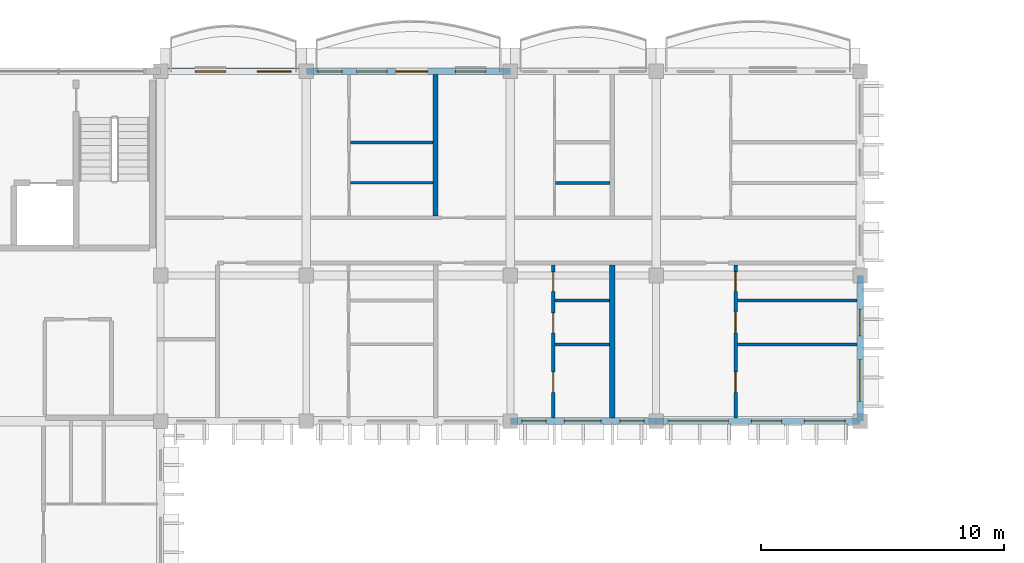
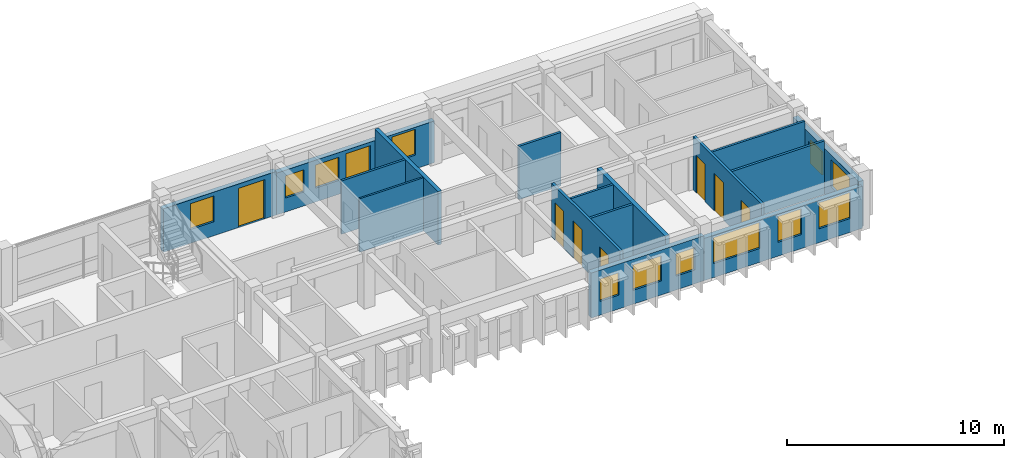
# One storey, part 19 of 45: 16 walls, 12 windows, 8 doors, 20 openings.
"""IFC4 building model written with IfcOpenShell, lengths in metres."""

from ifc_helpers import new_model, si_unit, direction, frame, frame_2d, origin, place, context, subcontext, project, spatial, rectangle, extrude, material, layer, layer_set, type_object, element, fill, save


model = new_model("IFC4")

# Units and contexts
model_context = context("Model", 3, precision=1e-05, world=origin(), true_north=direction((0.0, 1.0)))
body_context = subcontext(model_context, "Body", "Model", "MODEL_VIEW")
ifc_project = project(units=[si_unit("LENGTHUNIT", "METRE"), si_unit("AREAUNIT", "SQUARE_METRE"), si_unit("VOLUMEUNIT", "CUBIC_METRE"), si_unit("PLANEANGLEUNIT", "RADIAN"), si_unit("MASSUNIT", "GRAM", prefix="KILO"), si_unit("THERMODYNAMICTEMPERATUREUNIT", "KELVIN")], contexts=[model_context])

# Site, building, storey
site_placement = place(None, origin())
site = spatial("IfcSite", under=ifc_project, at=site_placement, CompositionType="ELEMENT")
building_placement = place(site_placement, origin())
building = spatial("IfcBuilding", under=site, at=building_placement, Name="Thalorik Housing Commons", CompositionType="ELEMENT")
storey_placement = place(building_placement, frame((0.0, 0.0, 34.5)))
storey = spatial("IfcBuildingStorey", under=building, at=storey_placement, Name="L10", CompositionType="ELEMENT", Elevation=34.5)

# Wall, openings, windows
ifc_material_1 = material(Name="White precast concrete C40/50", Category="concrete")
ifc_layer_1 = layer(ifc_material_1, 0.264892578125, Name="White precast concrete C40/50", Category="concrete")
ifc_layer_set_1 = layer_set([ifc_layer_1], Name="White precast concrete C40/50")
wall_type_1 = type_object("IfcWallType", Name="ARC-WAL-EXT-265", PredefinedType="STANDARD", material=ifc_layer_set_1)
wall_1_placement = place(storey_placement, frame((37.199951171875, 109.199951171875, 0.0), z_axis=(0.0, 0.0, 1.0), x_axis=(1.0, 0.0, 0.0)))
wall_1 = element("IfcWall", 1, at=wall_1_placement, inside=storey, type_object=wall_type_1, Name="L10 Exterior Wall WAL-EXT-L10-A-0259", PredefinedType="STANDARD", context=body_context, shape_type="SweptSolid", body=[
    extrude(rectangle(XDim=6.0, YDim=0.264892578125, at=frame_2d((3.0, 0.0))), origin(), (0.0, 0.0, 1.0), 2.52490234375),
])
opening_1_placement = place(wall_1_placement, frame((0.47509765625, 0.0, 0.780029296875)))
opening_1 = element("IfcOpeningElement", 2, at=opening_1_placement, cuts=wall_1, Name="Opening W-02", PredefinedType="OPENING", context=body_context, shape_type="SweptSolid", body=[
    extrude(rectangle(XDim=1.0, YDim=1.25, at=frame_2d((0.5, 0.625))), frame((0.0, 0.142578125, 0.0), z_axis=(0.0, -1.0, 0.0), x_axis=(1.0, 0.0, 0.0)), (0.0, 0.0, 1.0), 0.284912109375),
])
opening_2_placement = place(wall_1_placement, frame((2.219970703125, 0.0, 0.780029296875)))
opening_2 = element("IfcOpeningElement", 3, at=opening_2_placement, cuts=wall_1, Name="Opening W-52", PredefinedType="OPENING", context=body_context, shape_type="SweptSolid", body=[
    extrude(rectangle(XDim=1.52001953125, YDim=1.419921875, at=frame_2d((0.760009765625, 0.7099609375))), frame((0.0, 0.142578125, 0.0), z_axis=(0.0, -1.0, 0.0), x_axis=(1.0, 0.0, 0.0)), (0.0, 0.0, 1.0), 0.284912109375),
])
opening_3_placement = place(wall_1_placement, frame((4.5048828125, 0.0, 0.780029296875)))
opening_3 = element("IfcOpeningElement", 4, at=opening_3_placement, cuts=wall_1, Name="Opening W-02", PredefinedType="OPENING", context=body_context, shape_type="SweptSolid", body=[
    extrude(rectangle(XDim=1.0, YDim=1.25, at=frame_2d((0.5, 0.625))), frame((0.0, 0.142578125, 0.0), z_axis=(0.0, -1.0, 0.0), x_axis=(1.0, 0.0, 0.0)), (0.0, 0.0, 1.0), 0.284912109375),
])
ifc_material_2 = material(Name="Anodised aluminium and solar-control low-E glass", Category="aluminium")
window_type_1 = type_object("IfcWindowType", Name="ARC-WIN-02", PartitioningType="SINGLE_PANEL", PredefinedType="WINDOW", material=ifc_material_2)
window_1_placement = place(opening_1_placement, origin())
window_1 = element("IfcWindow", 5, at=window_1_placement, inside=storey, type_object=window_type_1, Name="L10 Facade Window 465", OverallHeight=1.25, OverallWidth=1.0, PartitioningType="SINGLE_PANEL", PredefinedType="WINDOW", context=body_context, shape_type="SweptSolid", body=[
    extrude(rectangle(XDim=1.0, YDim=1.25, at=frame_2d((0.5, 0.625))), frame((0.0, 0.030029296875, 0.0), z_axis=(0.0, -1.0, 0.0), x_axis=(1.0, 0.0, 0.0)), (0.0, 0.0, 1.0), 0.06005859375),
])
fill(opening_1, window_1)
window_2_placement = place(opening_3_placement, origin())
window_2 = element("IfcWindow", 6, at=window_2_placement, inside=storey, type_object=window_type_1, Name="L10 Facade Window 467", OverallHeight=1.25, OverallWidth=1.0, PartitioningType="SINGLE_PANEL", PredefinedType="WINDOW", context=body_context, shape_type="SweptSolid", body=[
    extrude(rectangle(XDim=1.0, YDim=1.25, at=frame_2d((0.5, 0.625))), frame((0.0, 0.030029296875, 0.0), z_axis=(0.0, -1.0, 0.0), x_axis=(1.0, 0.0, 0.0)), (0.0, 0.0, 1.0), 0.06005859375),
])
fill(opening_3, window_2)
window_type_2 = type_object("IfcWindowType", Name="ARC-WIN-52", PartitioningType="SINGLE_PANEL", PredefinedType="WINDOW", material=ifc_material_2)
window_3_placement = place(opening_2_placement, origin())
window_3 = element("IfcWindow", 7, at=window_3_placement, inside=storey, type_object=window_type_2, Name="L10 Facade Window 466", OverallHeight=1.419921875, OverallWidth=1.52001953125, PartitioningType="SINGLE_PANEL", PredefinedType="WINDOW", context=body_context, shape_type="SweptSolid", body=[
    extrude(rectangle(XDim=1.52001953125, YDim=1.419921875, at=frame_2d((0.760009765625, 0.7099609375))), frame((0.0, 0.030029296875, 0.0), z_axis=(0.0, -1.0, 0.0), x_axis=(1.0, 0.0, 0.0)), (0.0, 0.0, 1.0), 0.06005859375),
])
fill(opening_2, window_3)

wall_2_placement = place(storey_placement, frame((43.199951171875, 109.199951171875, 0.0), z_axis=(0.0, 0.0, 1.0), x_axis=(1.0, 0.0, 0.0)))
wall_2 = element("IfcWall", 8, at=wall_2_placement, inside=storey, type_object=wall_type_1, Name="L10 Exterior Wall WAL-EXT-L10-A-0260", PredefinedType="STANDARD", context=body_context, shape_type="SweptSolid", body=[
    extrude(rectangle(XDim=8.400146484375, YDim=0.264892578125, at=frame_2d((4.2001953125, 0.0))), origin(), (0.0, 0.0, 1.0), 2.375),
])
opening_4_placement = place(wall_2_placement, frame((0.489990234375, 0.0, 0.780029296875)))
opening_4 = element("IfcOpeningElement", 9, at=opening_4_placement, cuts=wall_2, Name="Opening W-71", PredefinedType="OPENING", context=body_context, shape_type="SweptSolid", body=[
    extrude(rectangle(XDim=2.47998046875, YDim=1.4599609375, at=frame_2d((1.239990234375, 0.72998046875))), frame((0.0, 0.142578125, 0.0), z_axis=(0.0, -1.0, 0.0), x_axis=(1.0, 0.0, 0.0)), (0.0, 0.0, 1.0), 0.284912109375),
])
opening_5_placement = place(wall_2_placement, frame((3.9150390625, 0.0, 0.780029296875)))
opening_5 = element("IfcOpeningElement", 10, at=opening_5_placement, cuts=wall_2, Name="Opening W-47", PredefinedType="OPENING", context=body_context, shape_type="SweptSolid", body=[
    extrude(rectangle(XDim=1.25, YDim=1.449951171875, at=frame_2d((0.625, 0.72509765625))), frame((0.0, 0.142578125, 0.0), z_axis=(0.0, -1.0, 0.0), x_axis=(1.0, 0.0, 0.0)), (0.0, 0.0, 1.0), 0.284912109375),
])
opening_6_placement = place(wall_2_placement, frame((6.10009765625, 0.0, 0.780029296875)))
opening_6 = element("IfcOpeningElement", 11, at=opening_6_placement, cuts=wall_2, Name="Opening W-55", PredefinedType="OPENING", context=body_context, shape_type="SweptSolid", body=[
    extrude(rectangle(XDim=1.679931640625, YDim=1.4599609375, at=frame_2d((0.83984375, 0.72998046875))), frame((0.0, 0.142578125, 0.0), z_axis=(0.0, -1.0, 0.0), x_axis=(1.0, 0.0, 0.0)), (0.0, 0.0, 1.0), 0.284912109375),
])
window_type_3 = type_object("IfcWindowType", Name="ARC-WIN-47", PartitioningType="SINGLE_PANEL", PredefinedType="WINDOW", material=ifc_material_2)
window_4_placement = place(opening_5_placement, origin())
window_4 = element("IfcWindow", 12, at=window_4_placement, inside=storey, type_object=window_type_3, Name="L10 Facade Window 469", OverallHeight=1.449951171875, OverallWidth=1.25, PartitioningType="SINGLE_PANEL", PredefinedType="WINDOW", context=body_context, shape_type="SweptSolid", body=[
    extrude(rectangle(XDim=1.25, YDim=1.449951171875, at=frame_2d((0.625, 0.72509765625))), frame((0.0, 0.030029296875, 0.0), z_axis=(0.0, -1.0, 0.0), x_axis=(1.0, 0.0, 0.0)), (0.0, 0.0, 1.0), 0.06005859375),
])
fill(opening_5, window_4)
window_type_4 = type_object("IfcWindowType", Name="ARC-WIN-55", PartitioningType="DOUBLE_PANEL_VERTICAL", PredefinedType="WINDOW", material=ifc_material_2)
window_5_placement = place(opening_6_placement, origin())
window_5 = element("IfcWindow", 13, at=window_5_placement, inside=storey, type_object=window_type_4, Name="L10 Facade Window 470", OverallHeight=1.4599609375, OverallWidth=1.679931640625, PartitioningType="DOUBLE_PANEL_VERTICAL", PredefinedType="WINDOW", context=body_context, shape_type="SweptSolid", body=[
    extrude(rectangle(XDim=1.679931640625, YDim=1.4599609375, at=frame_2d((0.83984375, 0.72998046875))), frame((0.0, 0.030029296875, 0.0), z_axis=(0.0, -1.0, 0.0), x_axis=(1.0, 0.0, 0.0)), (0.0, 0.0, 1.0), 0.06005859375),
])
fill(opening_6, window_5)
window_type_5 = type_object("IfcWindowType", Name="ARC-WIN-71", PartitioningType="DOUBLE_PANEL_VERTICAL", PredefinedType="WINDOW", material=ifc_material_2)
window_6_placement = place(opening_4_placement, origin())
window_6 = element("IfcWindow", 14, at=window_6_placement, inside=storey, type_object=window_type_5, Name="L10 Facade Window 468", OverallHeight=1.4599609375, OverallWidth=2.47998046875, PartitioningType="DOUBLE_PANEL_VERTICAL", PredefinedType="WINDOW", context=body_context, shape_type="SweptSolid", body=[
    extrude(rectangle(XDim=2.47998046875, YDim=1.4599609375, at=frame_2d((1.239990234375, 0.72998046875))), frame((0.0, 0.030029296875, 0.0), z_axis=(0.0, -1.0, 0.0), x_axis=(1.0, 0.0, 0.0)), (0.0, 0.0, 1.0), 0.06005859375),
])
fill(opening_4, window_6)

wall_3_placement = place(storey_placement, frame((51.60009765625, 109.199951171875, 0.0), z_axis=(0.0, 0.0, 1.0), x_axis=(0.0, 1.0, 0.0)))
wall_3 = element("IfcWall", 15, at=wall_3_placement, inside=storey, type_object=wall_type_1, Name="L10 Exterior Wall WAL-EXT-L10-A-0261", PredefinedType="STANDARD", context=body_context, shape_type="SweptSolid", body=[
    extrude(rectangle(XDim=6.0, YDim=0.264892578125, at=frame_2d((3.0, 0.0))), origin(), (0.0, 0.0, 1.0), 2.574951171875),
])
opening_7_placement = place(wall_3_placement, frame((0.8154296875, 0.0, 0.780029296875)))
opening_7 = element("IfcOpeningElement", 16, at=opening_7_placement, cuts=wall_3, Name="Opening W-56", PredefinedType="OPENING", context=body_context, shape_type="SweptSolid", body=[
    extrude(rectangle(XDim=1.719970703125, YDim=1.52001953125, at=frame_2d((0.85986328125, 0.760009765625))), frame((0.0, 0.142578125, 0.0), z_axis=(0.0, -1.0, 0.0), x_axis=(1.0, 0.0, 0.0)), (0.0, 0.0, 1.0), 0.284912109375),
])
opening_8_placement = place(wall_3_placement, frame((3.51513671875, 0.0, 0.780029296875)))
opening_8 = element("IfcOpeningElement", 17, at=opening_8_placement, cuts=wall_3, Name="Opening W-03", PredefinedType="OPENING", context=body_context, shape_type="SweptSolid", body=[
    extrude(rectangle(XDim=1.10009765625, YDim=1.300048828125, at=frame_2d((0.550048828125, 0.64990234375))), frame((0.0, 0.142578125, 0.0), z_axis=(0.0, -1.0, 0.0), x_axis=(1.0, 0.0, 0.0)), (0.0, 0.0, 1.0), 0.284912109375),
])
window_type_6 = type_object("IfcWindowType", Name="ARC-WIN-03", PartitioningType="SINGLE_PANEL", PredefinedType="WINDOW", material=ifc_material_2)
window_7_placement = place(opening_8_placement, origin())
window_7 = element("IfcWindow", 18, at=window_7_placement, inside=storey, type_object=window_type_6, Name="L10 Facade Window 472", OverallHeight=1.300048828125, OverallWidth=1.10009765625, PartitioningType="SINGLE_PANEL", PredefinedType="WINDOW", context=body_context, shape_type="SweptSolid", body=[
    extrude(rectangle(XDim=1.10009765625, YDim=1.300048828125, at=frame_2d((0.550048828125, 0.64990234375))), frame((0.0, 0.030029296875, 0.0), z_axis=(0.0, -1.0, 0.0), x_axis=(1.0, 0.0, 0.0)), (0.0, 0.0, 1.0), 0.06005859375),
])
fill(opening_8, window_7)
window_type_7 = type_object("IfcWindowType", Name="ARC-WIN-56", PartitioningType="DOUBLE_PANEL_VERTICAL", PredefinedType="WINDOW", material=ifc_material_2)
window_8_placement = place(opening_7_placement, origin())
window_8 = element("IfcWindow", 19, at=window_8_placement, inside=storey, type_object=window_type_7, Name="L10 Facade Window 471", OverallHeight=1.52001953125, OverallWidth=1.719970703125, PartitioningType="DOUBLE_PANEL_VERTICAL", PredefinedType="WINDOW", context=body_context, shape_type="SweptSolid", body=[
    extrude(rectangle(XDim=1.719970703125, YDim=1.52001953125, at=frame_2d((0.85986328125, 0.760009765625))), frame((0.0, 0.030029296875, 0.0), z_axis=(0.0, -1.0, 0.0), x_axis=(1.0, 0.0, 0.0)), (0.0, 0.0, 1.0), 0.06005859375),
])
fill(opening_7, window_8)

# Wall, openings, door, windows
wall_4_placement = place(storey_placement, frame((37.199951171875, 123.60009765625, 0.0), z_axis=(0.0, 0.0, 1.0), x_axis=(-1.0, 0.0, 0.0)))
wall_4 = element("IfcWall", 20, at=wall_4_placement, inside=storey, type_object=wall_type_1, Name="L10 Exterior Wall WAL-EXT-L10-A-0265", PredefinedType="STANDARD", context=body_context, shape_type="SweptSolid", body=[
    extrude(rectangle(XDim=8.39990234375, YDim=0.264892578125, at=frame_2d((4.199951171875, 0.0))), origin(), (0.0, 0.0, 1.0), 2.344970703125),
])
opening_9_placement = place(wall_4_placement, frame((3.409912109375, 0.0, 0.0)))
opening_9 = element("IfcOpeningElement", 21, at=opening_9_placement, cuts=wall_4, Name="Opening ED-0084", PredefinedType="OPENING", context=body_context, shape_type="SweptSolid", body=[
    extrude(rectangle(XDim=1.300048828125, YDim=2.14990234375, at=frame_2d((0.64990234375, 1.074951171875))), frame((0.0, 0.142578125, 0.0), z_axis=(0.0, -1.0, 0.0), x_axis=(1.0, 0.0, 0.0)), (0.0, 0.0, 1.0), 0.284912109375),
])
opening_10_placement = place(wall_4_placement, frame((1.010009765625, 0.0, 0.780029296875)))
opening_10 = element("IfcOpeningElement", 22, at=opening_10_placement, cuts=wall_4, Name="Opening W-47", PredefinedType="OPENING", context=body_context, shape_type="SweptSolid", body=[
    extrude(rectangle(XDim=1.25, YDim=1.449951171875, at=frame_2d((0.625, 0.72509765625))), frame((0.0, 0.142578125, 0.0), z_axis=(0.0, -1.0, 0.0), x_axis=(1.0, 0.0, 0.0)), (0.0, 0.0, 1.0), 0.284912109375),
])
opening_11_placement = place(wall_4_placement, frame((5.0771484375, 0.0, 0.780029296875)))
opening_11 = element("IfcOpeningElement", 23, at=opening_11_placement, cuts=wall_4, Name="Opening W-46", PredefinedType="OPENING", context=body_context, shape_type="SweptSolid", body=[
    extrude(rectangle(XDim=1.25, YDim=1.300048828125, at=frame_2d((0.625, 0.64990234375))), frame((0.0, 0.142578125, 0.0), z_axis=(0.0, -1.0, 0.0), x_axis=(1.0, 0.0, 0.0)), (0.0, 0.0, 1.0), 0.284912109375),
])
opening_12_placement = place(wall_4_placement, frame((6.92724609375, 0.0, 0.780029296875)))
opening_12 = element("IfcOpeningElement", 24, at=opening_12_placement, cuts=wall_4, Name="Opening W-02", PredefinedType="OPENING", context=body_context, shape_type="SweptSolid", body=[
    extrude(rectangle(XDim=1.0, YDim=1.25, at=frame_2d((0.5, 0.625))), frame((0.0, 0.142578125, 0.0), z_axis=(0.0, -1.0, 0.0), x_axis=(1.0, 0.0, 0.0)), (0.0, 0.0, 1.0), 0.284912109375),
])
ifc_material_3 = material(Name="Anodised aluminium and laminated safety glass", Category="aluminium")
door_type_1 = type_object("IfcDoorType", Name="ARC-DR-BAL-1300", OperationType="NOTDEFINED", PredefinedType="DOOR", material=ifc_material_3)
door_1_placement = place(opening_9_placement, frame((1.300048828125, 0.0, 0.0), z_axis=(0.0, 0.0, 1.0), x_axis=(-1.0, 0.0, 0.0)))
door_1 = element("IfcDoor", 25, at=door_1_placement, inside=storey, type_object=door_type_1, Name="L10 Block A Balcony Glazed Door", OperationType="SINGLE_SWING_LEFT", OverallHeight=2.14990234375, OverallWidth=1.300048828125, PredefinedType="DOOR", context=body_context, shape_type="SweptSolid", body=[
    extrude(rectangle(XDim=1.300048828125, YDim=2.14990234375, at=frame_2d((0.64990234375, 1.074951171875))), frame((0.0, 0.02490234375, 0.0), z_axis=(0.0, -1.0, 0.0), x_axis=(1.0, 0.0, 0.0)), (0.0, 0.0, 1.0), 0.050048828125),
])
fill(opening_9, door_1)
window_9_placement = place(opening_12_placement, origin())
window_9 = element("IfcWindow", 26, at=window_9_placement, inside=storey, type_object=window_type_1, Name="L10 Facade Window 482", OverallHeight=1.25, OverallWidth=1.0, PartitioningType="SINGLE_PANEL", PredefinedType="WINDOW", context=body_context, shape_type="SweptSolid", body=[
    extrude(rectangle(XDim=1.0, YDim=1.25, at=frame_2d((0.5, 0.625))), frame((0.0, 0.030029296875, 0.0), z_axis=(0.0, -1.0, 0.0), x_axis=(1.0, 0.0, 0.0)), (0.0, 0.0, 1.0), 0.06005859375),
])
fill(opening_12, window_9)
window_type_8 = type_object("IfcWindowType", Name="ARC-WIN-46", PartitioningType="SINGLE_PANEL", PredefinedType="WINDOW", material=ifc_material_2)
window_10_placement = place(opening_11_placement, origin())
window_10 = element("IfcWindow", 27, at=window_10_placement, inside=storey, type_object=window_type_8, Name="L10 Facade Window 481", OverallHeight=1.300048828125, OverallWidth=1.25, PartitioningType="SINGLE_PANEL", PredefinedType="WINDOW", context=body_context, shape_type="SweptSolid", body=[
    extrude(rectangle(XDim=1.25, YDim=1.300048828125, at=frame_2d((0.625, 0.64990234375))), frame((0.0, 0.030029296875, 0.0), z_axis=(0.0, -1.0, 0.0), x_axis=(1.0, 0.0, 0.0)), (0.0, 0.0, 1.0), 0.06005859375),
])
fill(opening_11, window_10)
window_11_placement = place(opening_10_placement, origin())
window_11 = element("IfcWindow", 28, at=window_11_placement, inside=storey, type_object=window_type_3, Name="L10 Facade Window 480", OverallHeight=1.449951171875, OverallWidth=1.25, PartitioningType="SINGLE_PANEL", PredefinedType="WINDOW", context=body_context, shape_type="SweptSolid", body=[
    extrude(rectangle(XDim=1.25, YDim=1.449951171875, at=frame_2d((0.625, 0.72509765625))), frame((0.0, 0.030029296875, 0.0), z_axis=(0.0, -1.0, 0.0), x_axis=(1.0, 0.0, 0.0)), (0.0, 0.0, 1.0), 0.06005859375),
])
fill(opening_10, window_11)

# Wall, openings, door, window
wall_5_placement = place(storey_placement, frame((28.800048828125, 123.60009765625, 0.0), z_axis=(0.0, 0.0, 1.0), x_axis=(-1.0, 0.0, 0.0)))
wall_5 = element("IfcWall", 29, at=wall_5_placement, inside=storey, type_object=wall_type_1, Name="L10 Exterior Wall WAL-EXT-L10-A-0266", PredefinedType="STANDARD", context=body_context, shape_type="SweptSolid", body=[
    extrude(rectangle(XDim=6.0, YDim=0.264892578125, at=frame_2d((3.0, 0.0))), origin(), (0.0, 0.0, 1.0), 2.445068359375),
])
opening_13_placement = place(wall_5_placement, frame((0.6201171875, 0.0, 0.0)))
opening_13 = element("IfcOpeningElement", 30, at=opening_13_placement, cuts=wall_5, Name="Opening ED-0085", PredefinedType="OPENING", context=body_context, shape_type="SweptSolid", body=[
    extrude(rectangle(XDim=1.39990234375, YDim=2.199951171875, at=frame_2d((0.699951171875, 1.10009765625))), frame((0.0, 0.142578125, 0.0), z_axis=(0.0, -1.0, 0.0), x_axis=(1.0, 0.0, 0.0)), (0.0, 0.0, 1.0), 0.284912109375),
])
opening_14_placement = place(wall_5_placement, frame((3.31494140625, 0.0, 0.780029296875)))
opening_14 = element("IfcOpeningElement", 31, at=opening_14_placement, cuts=wall_5, Name="Opening W-47", PredefinedType="OPENING", context=body_context, shape_type="SweptSolid", body=[
    extrude(rectangle(XDim=1.25, YDim=1.449951171875, at=frame_2d((0.625, 0.72509765625))), frame((0.0, 0.142578125, 0.0), z_axis=(0.0, -1.0, 0.0), x_axis=(1.0, 0.0, 0.0)), (0.0, 0.0, 1.0), 0.284912109375),
])
door_type_2 = type_object("IfcDoorType", Name="ARC-DR-BAL-1400", OperationType="NOTDEFINED", PredefinedType="DOOR", material=ifc_material_3)
door_2_placement = place(opening_13_placement, frame((1.39990234375, 0.0, 0.0), z_axis=(0.0, 0.0, 1.0), x_axis=(-1.0, 0.0, 0.0)))
door_2 = element("IfcDoor", 32, at=door_2_placement, inside=storey, type_object=door_type_2, Name="L10 Block A Balcony Glazed Door", OperationType="SLIDING_TO_LEFT", OverallHeight=2.199951171875, OverallWidth=1.39990234375, PredefinedType="DOOR", context=body_context, shape_type="SweptSolid", body=[
    extrude(rectangle(XDim=1.39990234375, YDim=2.199951171875, at=frame_2d((0.699951171875, 1.10009765625))), frame((0.0, 0.02490234375, 0.0), z_axis=(0.0, -1.0, 0.0), x_axis=(1.0, 0.0, 0.0)), (0.0, 0.0, 1.0), 0.050048828125),
])
fill(opening_13, door_2)
window_12_placement = place(opening_14_placement, origin())
window_12 = element("IfcWindow", 33, at=window_12_placement, inside=storey, type_object=window_type_3, Name="L10 Facade Window 483", OverallHeight=1.449951171875, OverallWidth=1.25, PartitioningType="SINGLE_PANEL", PredefinedType="WINDOW", context=body_context, shape_type="SweptSolid", body=[
    extrude(rectangle(XDim=1.25, YDim=1.449951171875, at=frame_2d((0.625, 0.72509765625))), frame((0.0, 0.030029296875, 0.0), z_axis=(0.0, -1.0, 0.0), x_axis=(1.0, 0.0, 0.0)), (0.0, 0.0, 1.0), 0.06005859375),
])
fill(opening_14, window_12)

# Walls
ifc_material_4 = material(Name="Gypsum light stud partition", Category="masonry")
ifc_layer_2 = layer(ifc_material_4, 0.10009765625, Name="Gypsum light stud partition", Category="masonry")
ifc_layer_set_2 = layer_set([ifc_layer_2], Name="Gypsum light stud partition")
wall_type_2 = type_object("IfcWallType", Name="ARC-WAL-PART-100", PredefinedType="PARTITIONING", material=ifc_layer_set_2)
wall_6_placement = place(storey_placement, frame((30.6201171875, 119.010498046875, 0.0), z_axis=(0.0, 0.0, 1.0), x_axis=(1.0, 0.0, 0.0)))
element("IfcWall", 34, at=wall_6_placement, inside=storey, type_object=wall_type_2, Name="L10 Unit 1B Wet Wall", PredefinedType="PARTITIONING", context=body_context, shape_type="SweptSolid", body=[
    extrude(rectangle(XDim=3.39794921875, YDim=0.10009765625, at=frame_2d((1.698974609375, 0.0))), origin(), (0.0, 0.0, 1.0), 3.0),
])
ifc_material_5 = material(Name="Gypsum moisture-resistant partition", Category="masonry")
ifc_layer_3 = layer(ifc_material_5, 0.114990234375, Name="Gypsum moisture-resistant partition", Category="masonry")
ifc_layer_set_3 = layer_set([ifc_layer_3], Name="Gypsum moisture-resistant partition")
wall_type_3 = type_object("IfcWallType", Name="ARC-WAL-PART-115", PredefinedType="PARTITIONING", material=ifc_layer_set_3)
wall_7_placement = place(storey_placement, frame((30.6201171875, 120.67919921875, 0.0), z_axis=(0.0, 0.0, 1.0), x_axis=(1.0, 0.0, 0.0)))
element("IfcWall", 35, at=wall_7_placement, inside=storey, type_object=wall_type_3, Name="L10 Unit 1B Bedroom Partition", PredefinedType="PARTITIONING", context=body_context, shape_type="SweptSolid", body=[
    extrude(rectangle(XDim=3.39794921875, YDim=0.114990234375, at=frame_2d((1.698974609375, 0.0))), origin(), (0.0, 0.0, 1.0), 3.0),
])
wall_8_placement = place(storey_placement, frame((39.031982421875, 114.169677734375, 0.0), z_axis=(0.0, 0.0, 1.0), x_axis=(1.0, 0.0, 0.0)))
element("IfcWall", 36, at=wall_8_placement, inside=storey, type_object=wall_type_3, Name="L10 Unit 2 Wet Wall", PredefinedType="PARTITIONING", context=body_context, shape_type="SweptSolid", body=[
    extrude(rectangle(XDim=2.256103515625, YDim=0.114990234375, at=frame_2d((1.1279296875, 0.0))), origin(), (0.0, 0.0, 1.0), 3.0),
])
wall_9_placement = place(storey_placement, frame((46.5419921875, 114.169677734375, 0.0), z_axis=(0.0, 0.0, 1.0), x_axis=(1.0, 0.0, 0.0)))
element("IfcWall", 37, at=wall_9_placement, inside=storey, type_object=wall_type_3, Name="L10 Unit 3 Wet Wall", PredefinedType="PARTITIONING", context=body_context, shape_type="SweptSolid", body=[
    extrude(rectangle(XDim=4.923583984375, YDim=0.114990234375, at=frame_2d((2.4619140625, 0.0))), origin(), (0.0, 0.0, 1.0), 3.0),
])
ifc_material_6 = material(Name="Gypsum acoustic stud partition", Category="masonry")
ifc_layer_4 = layer(ifc_material_6, 0.125, Name="Gypsum acoustic stud partition", Category="masonry")
ifc_layer_set_4 = layer_set([ifc_layer_4], Name="Gypsum acoustic stud partition")
wall_type_4 = type_object("IfcWallType", Name="ARC-WAL-PART-125", PredefinedType="PARTITIONING", material=ifc_layer_set_4)
wall_10_placement = place(storey_placement, frame((39.031982421875, 112.36083984375, 0.0), z_axis=(0.0, 0.0, 1.0), x_axis=(1.0, 0.0, 0.0)))
element("IfcWall", 38, at=wall_10_placement, inside=storey, type_object=wall_type_4, Name="L10 Unit 2 Bedroom Partition", PredefinedType="PARTITIONING", context=body_context, shape_type="SweptSolid", body=[
    extrude(rectangle(XDim=2.256103515625, YDim=0.125, at=frame_2d((1.1279296875, 0.0))), origin(), (0.0, 0.0, 1.0), 3.0),
])
wall_11_placement = place(storey_placement, frame((39.06640625, 119.010498046875, 0.0), z_axis=(0.0, 0.0, 1.0), x_axis=(1.0, 0.0, 0.0)))
element("IfcWall", 39, at=wall_11_placement, inside=storey, type_object=wall_type_4, Name="L10 Unit 2B Wet Wall", PredefinedType="PARTITIONING", context=body_context, shape_type="SweptSolid", body=[
    extrude(rectangle(XDim=2.239013671875, YDim=0.125, at=frame_2d((1.11962890625, 0.0))), origin(), (0.0, 0.0, 1.0), 3.0),
])
wall_12_placement = place(storey_placement, frame((46.5419921875, 112.36083984375, 0.0), z_axis=(0.0, 0.0, 1.0), x_axis=(1.0, 0.0, 0.0)))
element("IfcWall", 40, at=wall_12_placement, inside=storey, type_object=wall_type_4, Name="L10 Unit 3 Bedroom Partition", PredefinedType="PARTITIONING", context=body_context, shape_type="SweptSolid", body=[
    extrude(rectangle(XDim=4.923583984375, YDim=0.125, at=frame_2d((2.4619140625, 0.0))), origin(), (0.0, 0.0, 1.0), 3.0),
])

# Wall, openings, doors
ifc_material_7 = material(Name="Ceramic masonry partition wall", Category="masonry")
ifc_layer_5 = layer(ifc_material_7, 0.139892578125, Name="Ceramic masonry partition wall", Category="masonry")
ifc_layer_set_5 = layer_set([ifc_layer_5], Name="Ceramic masonry partition wall")
wall_type_5 = type_object("IfcWallType", Name="ARC-WAL-PART-140", PredefinedType="PARTITIONING", material=ifc_layer_set_5)
wall_13_placement = place(storey_placement, frame((38.9599609375, 109.33447265625, 0.0), z_axis=(0.0, 0.0, 1.0), x_axis=(0.0, 1.0, 0.0)))
wall_13 = element("IfcWall", 41, at=wall_13_placement, inside=storey, type_object=wall_type_5, Name="L10 Unit 2 Spine Partition", PredefinedType="PARTITIONING", context=body_context, shape_type="SweptSolid", body=[
    extrude(rectangle(XDim=6.301025390625, YDim=0.139892578125, at=frame_2d((3.150390625, 0.0))), origin(), (0.0, 0.0, 1.0), 3.0),
])
opening_15_placement = place(wall_13_placement, frame((1.05078125, 0.0, 0.0)))
opening_15 = element("IfcOpeningElement", 42, at=opening_15_placement, cuts=wall_13, Name="Opening ID-0819", PredefinedType="OPENING", context=body_context, shape_type="SweptSolid", body=[
    extrude(rectangle(XDim=0.85009765625, YDim=2.10009765625, at=frame_2d((0.425048828125, 1.050048828125))), frame((0.0, 0.080078125, 0.0), z_axis=(0.0, -1.0, 0.0), x_axis=(1.0, 0.0, 0.0)), (0.0, 0.0, 1.0), 0.159912109375),
])
opening_16_placement = place(wall_13_placement, frame((3.505615234375, 0.0, 0.0)))
opening_16 = element("IfcOpeningElement", 43, at=opening_16_placement, cuts=wall_13, Name="Opening ID-0820", PredefinedType="OPENING", context=body_context, shape_type="SweptSolid", body=[
    extrude(rectangle(XDim=0.820068359375, YDim=2.080078125, at=frame_2d((0.41015625, 1.0400390625))), frame((0.0, 0.080078125, 0.0), z_axis=(0.0, -1.0, 0.0), x_axis=(1.0, 0.0, 0.0)), (0.0, 0.0, 1.0), 0.159912109375),
])
opening_17_placement = place(wall_13_placement, frame((5.210205078125, 0.0, 0.0)))
opening_17 = element("IfcOpeningElement", 44, at=opening_17_placement, cuts=wall_13, Name="Opening ID-0821", PredefinedType="OPENING", context=body_context, shape_type="SweptSolid", body=[
    extrude(rectangle(XDim=0.800048828125, YDim=2.10009765625, at=frame_2d((0.39990234375, 1.050048828125))), frame((0.0, 0.080078125, 0.0), z_axis=(0.0, -1.0, 0.0), x_axis=(1.0, 0.0, 0.0)), (0.0, 0.0, 1.0), 0.159912109375),
])
ifc_material_8 = material(Name="Moisture-resistant timber", Category="wood")
door_type_3 = type_object("IfcDoorType", Name="ARC-DR-INT-800", OperationType="NOTDEFINED", PredefinedType="DOOR", material=ifc_material_8)
door_3_placement = place(opening_17_placement, origin())
door_3 = element("IfcDoor", 45, at=door_3_placement, inside=storey, type_object=door_type_3, Name="L10 Accessible Bathroom Door", OperationType="SINGLE_SWING_RIGHT", OverallHeight=2.10009765625, OverallWidth=0.800048828125, PredefinedType="DOOR", context=body_context, shape_type="SweptSolid", body=[
    extrude(rectangle(XDim=0.800048828125, YDim=2.10009765625, at=frame_2d((0.39990234375, 1.050048828125))), frame((0.0, 0.02490234375, 0.0), z_axis=(0.0, -1.0, 0.0), x_axis=(1.0, 0.0, 0.0)), (0.0, 0.0, 1.0), 0.050048828125),
])
fill(opening_17, door_3)
ifc_material_9 = material(Name="Engineered oak timber", Category="wood")
door_type_4 = type_object("IfcDoorType", Name="ARC-DR-INT-820", OperationType="NOTDEFINED", PredefinedType="DOOR", material=ifc_material_9)
door_4_placement = place(opening_16_placement, origin())
door_4 = element("IfcDoor", 46, at=door_4_placement, inside=storey, type_object=door_type_4, Name="L10 Eat-In Kitchen Door", OperationType="SINGLE_SWING_LEFT", OverallHeight=2.080078125, OverallWidth=0.820068359375, PredefinedType="DOOR", context=body_context, shape_type="SweptSolid", body=[
    extrude(rectangle(XDim=0.820068359375, YDim=2.080078125, at=frame_2d((0.41015625, 1.0400390625))), frame((0.0, 0.02490234375, 0.0), z_axis=(0.0, -1.0, 0.0), x_axis=(1.0, 0.0, 0.0)), (0.0, 0.0, 1.0), 0.050048828125),
])
fill(opening_16, door_4)
door_type_5 = type_object("IfcDoorType", Name="ARC-DR-INT-850", OperationType="NOTDEFINED", PredefinedType="DOOR", material=ifc_material_9)
door_5_placement = place(opening_15_placement, origin())
door_5 = element("IfcDoor", 47, at=door_5_placement, inside=storey, type_object=door_type_5, Name="L10 Double Bedroom Door", OperationType="SINGLE_SWING_RIGHT", OverallHeight=2.10009765625, OverallWidth=0.85009765625, PredefinedType="DOOR", context=body_context, shape_type="SweptSolid", body=[
    extrude(rectangle(XDim=0.85009765625, YDim=2.10009765625, at=frame_2d((0.425048828125, 1.050048828125))), frame((0.0, 0.02490234375, 0.0), z_axis=(0.0, -1.0, 0.0), x_axis=(1.0, 0.0, 0.0)), (0.0, 0.0, 1.0), 0.050048828125),
])
fill(opening_15, door_5)

wall_14_placement = place(storey_placement, frame((46.469970703125, 109.33447265625, 0.0), z_axis=(0.0, 0.0, 1.0), x_axis=(0.0, 1.0, 0.0)))
wall_14 = element("IfcWall", 48, at=wall_14_placement, inside=storey, type_object=wall_type_5, Name="L10 Unit 3 Spine Partition", PredefinedType="PARTITIONING", context=body_context, shape_type="SweptSolid", body=[
    extrude(rectangle(XDim=6.301025390625, YDim=0.139892578125, at=frame_2d((3.150390625, 0.0))), origin(), (0.0, 0.0, 1.0), 3.0),
])
opening_18_placement = place(wall_14_placement, frame((1.05078125, 0.0, 0.0)))
opening_18 = element("IfcOpeningElement", 49, at=opening_18_placement, cuts=wall_14, Name="Opening ID-0825", PredefinedType="OPENING", context=body_context, shape_type="SweptSolid", body=[
    extrude(rectangle(XDim=0.85009765625, YDim=2.10009765625, at=frame_2d((0.425048828125, 1.050048828125))), frame((0.0, 0.080078125, 0.0), z_axis=(0.0, -1.0, 0.0), x_axis=(1.0, 0.0, 0.0)), (0.0, 0.0, 1.0), 0.159912109375),
])
opening_19_placement = place(wall_14_placement, frame((3.505615234375, 0.0, 0.0)))
opening_19 = element("IfcOpeningElement", 50, at=opening_19_placement, cuts=wall_14, Name="Opening ID-0826", PredefinedType="OPENING", context=body_context, shape_type="SweptSolid", body=[
    extrude(rectangle(XDim=0.85009765625, YDim=2.10009765625, at=frame_2d((0.425048828125, 1.050048828125))), frame((0.0, 0.080078125, 0.0), z_axis=(0.0, -1.0, 0.0), x_axis=(1.0, 0.0, 0.0)), (0.0, 0.0, 1.0), 0.159912109375),
])
opening_20_placement = place(wall_14_placement, frame((5.210205078125, 0.0, 0.0)))
opening_20 = element("IfcOpeningElement", 51, at=opening_20_placement, cuts=wall_14, Name="Opening ID-0827", PredefinedType="OPENING", context=body_context, shape_type="SweptSolid", body=[
    extrude(rectangle(XDim=0.800048828125, YDim=2.10009765625, at=frame_2d((0.39990234375, 1.050048828125))), frame((0.0, 0.080078125, 0.0), z_axis=(0.0, -1.0, 0.0), x_axis=(1.0, 0.0, 0.0)), (0.0, 0.0, 1.0), 0.159912109375),
])
door_6_placement = place(opening_20_placement, origin())
door_6 = element("IfcDoor", 52, at=door_6_placement, inside=storey, type_object=door_type_3, Name="L10 Accessible Bathroom Door", OperationType="SINGLE_SWING_RIGHT", OverallHeight=2.10009765625, OverallWidth=0.800048828125, PredefinedType="DOOR", context=body_context, shape_type="SweptSolid", body=[
    extrude(rectangle(XDim=0.800048828125, YDim=2.10009765625, at=frame_2d((0.39990234375, 1.050048828125))), frame((0.0, 0.02490234375, 0.0), z_axis=(0.0, -1.0, 0.0), x_axis=(1.0, 0.0, 0.0)), (0.0, 0.0, 1.0), 0.050048828125),
])
fill(opening_20, door_6)
door_7_placement = place(opening_18_placement, origin())
door_7 = element("IfcDoor", 53, at=door_7_placement, inside=storey, type_object=door_type_5, Name="L10 Master Bedroom Door", OperationType="SINGLE_SWING_RIGHT", OverallHeight=2.10009765625, OverallWidth=0.85009765625, PredefinedType="DOOR", context=body_context, shape_type="SweptSolid", body=[
    extrude(rectangle(XDim=0.85009765625, YDim=2.10009765625, at=frame_2d((0.425048828125, 1.050048828125))), frame((0.0, 0.02490234375, 0.0), z_axis=(0.0, -1.0, 0.0), x_axis=(1.0, 0.0, 0.0)), (0.0, 0.0, 1.0), 0.050048828125),
])
fill(opening_18, door_7)
door_8_placement = place(opening_19_placement, origin())
door_8 = element("IfcDoor", 54, at=door_8_placement, inside=storey, type_object=door_type_5, Name="L10 Eat-In Kitchen Door", OperationType="SINGLE_SWING_LEFT", OverallHeight=2.10009765625, OverallWidth=0.85009765625, PredefinedType="DOOR", context=body_context, shape_type="SweptSolid", body=[
    extrude(rectangle(XDim=0.85009765625, YDim=2.10009765625, at=frame_2d((0.425048828125, 1.050048828125))), frame((0.0, 0.02490234375, 0.0), z_axis=(0.0, -1.0, 0.0), x_axis=(1.0, 0.0, 0.0)), (0.0, 0.0, 1.0), 0.050048828125),
])
fill(opening_19, door_8)

# Walls
ifc_material_10 = material(Name="Precast concrete C40/50 acoustic wall", Category="concrete")
ifc_layer_6 = layer(ifc_material_10, 0.199951171875, Name="Precast concrete C40/50 acoustic wall", Category="concrete")
ifc_layer_set_6 = layer_set([ifc_layer_6], Name="Precast concrete C40/50 acoustic wall")
wall_type_6 = type_object("IfcWallType", Name="ARC-WAL-PARTY-200", PredefinedType="PARTITIONING", material=ifc_layer_set_6)
wall_15_placement = place(storey_placement, frame((34.1201171875, 117.656982421875, 0.0), z_axis=(0.0, 0.0, 1.0), x_axis=(0.0, 1.0, 0.0)))
element("IfcWall", 55, at=wall_15_placement, inside=storey, type_object=wall_type_6, Name="L10 Inter-Tenancy Wall 1B", PredefinedType="PARTITIONING", context=body_context, shape_type="SweptSolid", body=[
    extrude(rectangle(XDim=5.80859375, YDim=0.199951171875, at=frame_2d((2.904296875, 0.0))), origin(), (0.0, 0.0, 1.0), 3.0),
])
ifc_layer_7 = layer(ifc_material_10, 0.219970703125, Name="Precast concrete C40/50 acoustic wall", Category="concrete")
ifc_layer_set_7 = layer_set([ifc_layer_7], Name="Precast concrete C40/50 acoustic wall")
wall_type_7 = type_object("IfcWallType", Name="ARC-WAL-PARTY-220", PredefinedType="PARTITIONING", material=ifc_layer_set_7)
wall_16_placement = place(storey_placement, frame((41.39990234375, 109.33447265625, 0.0), z_axis=(0.0, 0.0, 1.0), x_axis=(0.0, 1.0, 0.0)))
element("IfcWall", 56, at=wall_16_placement, inside=storey, type_object=wall_type_7, Name="L10 Inter-Tenancy Wall 2A", PredefinedType="PARTITIONING", context=body_context, shape_type="SweptSolid", body=[
    extrude(rectangle(XDim=6.301025390625, YDim=0.219970703125, at=frame_2d((3.150390625, 0.0))), origin(), (0.0, 0.0, 1.0), 3.0),
])

save(model, "model.ifc")
